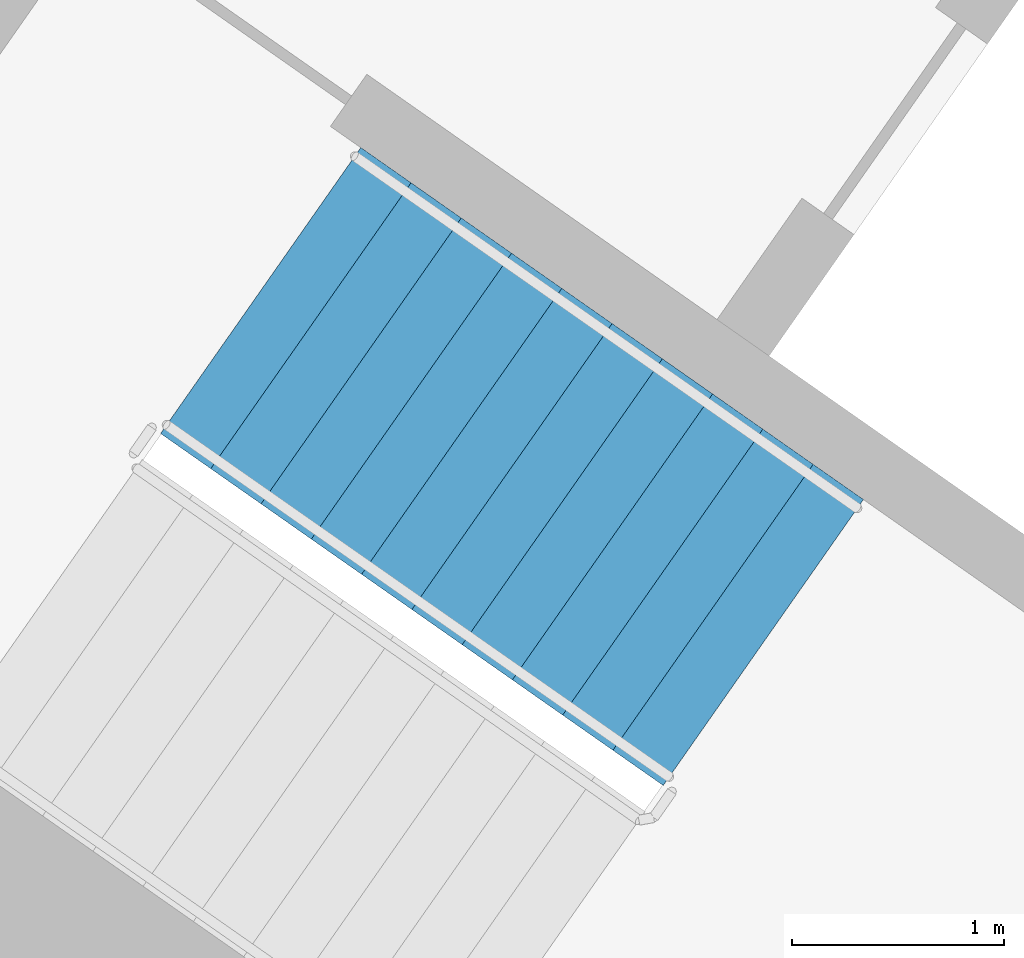
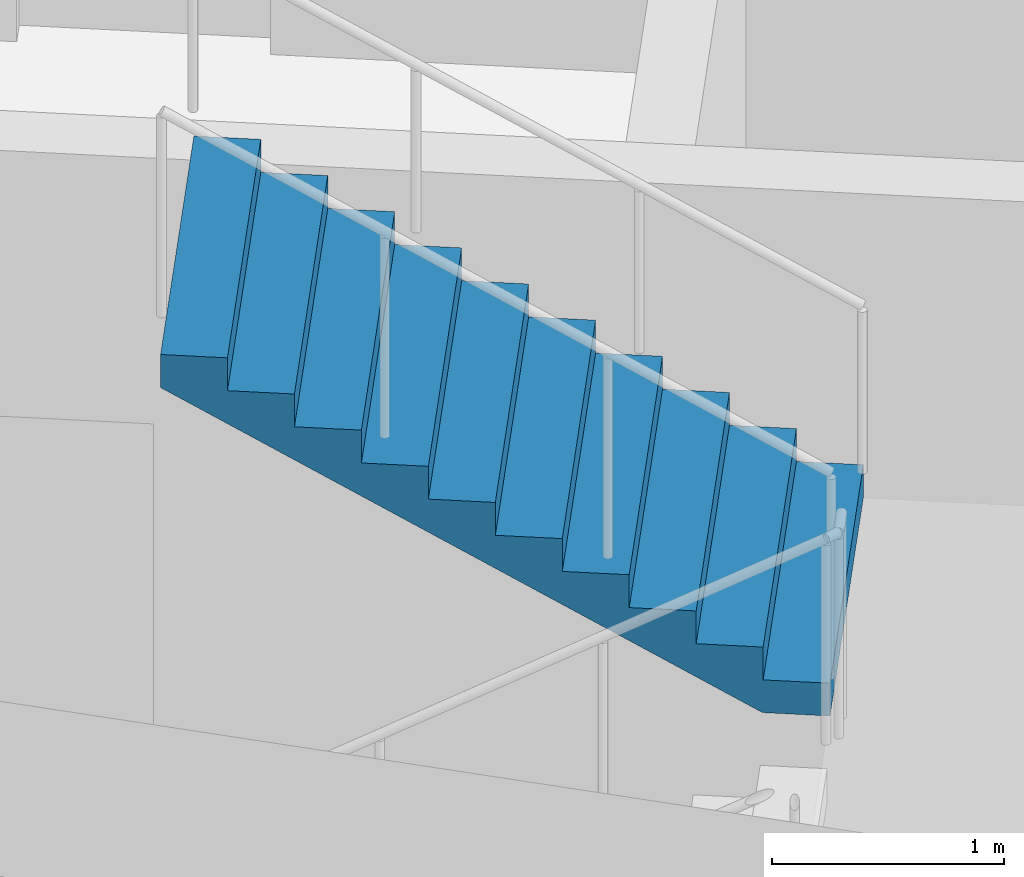
# One storey, part 11 of 35: 1 stair flight, 1 element without a shape of its own.
"""IFC4 building model written with IfcOpenShell, lengths in metres."""

from ifc_helpers import new_model, si_unit, direction, frame, origin, place, context, subcontext, project, spatial, faceted_brep, material, type_object, element, aggregate, save


model = new_model("IFC4")

# Units and contexts
model_context = context("Model", 3, precision=1e-05, world=origin(), true_north=direction((0.0, 1.0)))
body_context = subcontext(model_context, "Body", "Model", "MODEL_VIEW")
ifc_project = project(units=[si_unit("LENGTHUNIT", "METRE"), si_unit("AREAUNIT", "SQUARE_METRE"), si_unit("VOLUMEUNIT", "CUBIC_METRE"), si_unit("PLANEANGLEUNIT", "RADIAN"), si_unit("MASSUNIT", "GRAM", prefix="KILO")], contexts=[model_context])

# Site, building, storey
site_placement = place(None, origin())
site = spatial("IfcSite", under=ifc_project, at=site_placement, CompositionType="ELEMENT")
building_placement = place(site_placement, origin())
building = spatial("IfcBuilding", under=site, at=building_placement, Name="Qamariyya Broadcast Tower", CompositionType="ELEMENT")
storey_placement = place(building_placement, frame((0.0, 0.0, 40.5)))
storey = spatial("IfcBuildingStorey", under=building, at=storey_placement, Name="L06", CompositionType="ELEMENT", Elevation=40.5)

# Stair, stair flight
ifc_material = material(Name="Concrete C50/60", Category="concrete")
stair_type = type_object("IfcStairType", Name="Exit stair 22 risers of 173 mm", PredefinedType="HALF_TURN_STAIR", material=ifc_material)
stair_placement = place(storey_placement, origin())
stair = element("IfcStair", 1, at=stair_placement, inside=storey, type_object=stair_type, Name="L06 Stair W1", PredefinedType="HALF_TURN_STAIR")
stair_flight_type = type_object("IfcStairFlightType", Name="Exit stair flight 11 risers of 173 mm", PredefinedType="STRAIGHT", material=ifc_material)
stair_flight_placement = place(storey_placement, frame((-43.660888671875, -57.17138671875, 1.89990234375), z_axis=(0.0, 0.0, 1.0), x_axis=(-0.819152044289, 0.573576436351, 0.0)))
stair_flight = element("IfcStairFlight", 2, at=stair_flight_placement, type_object=stair_flight_type, Name="ST-W1 flight 2", NumberOfRisers=11, NumberOfTreads=10, PredefinedType="STRAIGHT", RiserHeight=0.172727273, TreadLength=0.29, context=body_context, shape_type="Brep", body=[
    faceted_brep([(0.0, 0.824951171875, 0.0), (0.0, 0.824951171875, 0.172607421875), (0.2900390625, 0.824951171875, 0.172607421875), (0.2900390625, 0.824951171875, 0.345458984375), (0.580078125, 0.824951171875, 0.345458984375), (0.580078125, 0.824951171875, 0.51806640625), (0.8701171875, 0.824951171875, 0.51806640625), (0.8701171875, 0.824951171875, 0.69091796875), (1.159912109375, 0.824951171875, 0.69091796875), (1.159912109375, 0.824951171875, 0.863525390625), (1.449951171875, 0.824951171875, 0.863525390625), (1.449951171875, 0.824951171875, 1.036376953125), (1.739990234375, 0.824951171875, 1.036376953125), (1.739990234375, 0.824951171875, 1.208984375), (2.030029296875, 0.824951171875, 1.208984375), (2.030029296875, 0.824951171875, 1.3818359375), (2.320068359375, 0.824951171875, 1.3818359375), (2.320068359375, 0.824951171875, 1.554443359375), (2.610107421875, 0.824951171875, 1.554443359375), (2.610107421875, 0.824951171875, 1.727294921875), (2.89990234375, 0.824951171875, 1.727294921875), (2.89990234375, 0.824951171875, 1.552734375), (0.29296875, 0.824951171875, 0.0), (0.29296875, -0.824951171875, 0.0), (2.89990234375, -0.824951171875, 1.552734375), (2.89990234375, -0.824951171875, 1.727294921875), (2.610107421875, -0.824951171875, 1.727294921875), (2.610107421875, -0.824951171875, 1.554443359375), (2.320068359375, -0.824951171875, 1.554443359375), (2.320068359375, -0.824951171875, 1.3818359375), (2.030029296875, -0.824951171875, 1.3818359375), (2.030029296875, -0.824951171875, 1.208984375), (1.739990234375, -0.824951171875, 1.208984375), (1.739990234375, -0.824951171875, 1.036376953125), (1.449951171875, -0.824951171875, 1.036376953125), (1.449951171875, -0.824951171875, 0.863525390625), (1.159912109375, -0.824951171875, 0.863525390625), (1.159912109375, -0.824951171875, 0.69091796875), (0.8701171875, -0.824951171875, 0.69091796875), (0.8701171875, -0.824951171875, 0.51806640625), (0.580078125, -0.824951171875, 0.51806640625), (0.580078125, -0.824951171875, 0.345458984375), (0.2900390625, -0.824951171875, 0.345458984375), (0.2900390625, -0.824951171875, 0.172607421875), (0.0, -0.824951171875, 0.172607421875), (0.0, -0.824951171875, 0.0), (0.0, 0.10009765625, 0.0), (0.0, 0.086669921875, 0.0), (0.0, 0.0732421875, 0.0), (0.0, 0.06005859375, 0.0), (0.0, 0.046630859375, 0.0), (0.0, 0.033447265625, 0.0), (0.0, 0.02001953125, 0.0), (0.0, 0.006591796875, 0.0), (0.0, -0.006591796875, 0.0), (0.0, -0.02001953125, 0.0), (0.0, -0.033447265625, 0.0), (0.0, -0.046630859375, 0.0), (0.0, -0.06005859375, 0.0), (0.0, -0.0732421875, 0.0), (0.0, -0.086669921875, 0.0), (0.0, -0.10009765625, 0.0), (0.0, -0.10009765625, 0.172607421875), (0.0, -0.086669921875, 0.172607421875), (0.0, -0.0732421875, 0.172607421875), (0.0, -0.06005859375, 0.172607421875), (0.0, -0.046630859375, 0.172607421875), (0.0, -0.033447265625, 0.172607421875), (0.0, -0.02001953125, 0.172607421875), (0.0, -0.006591796875, 0.172607421875), (0.0, 0.006591796875, 0.172607421875), (0.0, 0.02001953125, 0.172607421875), (0.0, 0.033447265625, 0.172607421875), (0.0, 0.046630859375, 0.172607421875), (0.0, 0.06005859375, 0.172607421875), (0.0, 0.0732421875, 0.172607421875), (0.0, 0.086669921875, 0.172607421875), (0.0, 0.10009765625, 0.172607421875), (0.2900390625, -0.10009765625, 0.172607421875), (0.2900390625, -0.086669921875, 0.172607421875), (0.2900390625, -0.0732421875, 0.172607421875), (0.2900390625, -0.06005859375, 0.172607421875), (0.2900390625, -0.046630859375, 0.172607421875), (0.2900390625, -0.033447265625, 0.172607421875), (0.2900390625, -0.02001953125, 0.172607421875), (0.2900390625, -0.006591796875, 0.172607421875), (0.2900390625, 0.006591796875, 0.172607421875), (0.2900390625, 0.02001953125, 0.172607421875), (0.2900390625, 0.033447265625, 0.172607421875), (0.2900390625, 0.046630859375, 0.172607421875), (0.2900390625, 0.06005859375, 0.172607421875), (0.2900390625, 0.0732421875, 0.172607421875), (0.2900390625, 0.086669921875, 0.172607421875), (0.2900390625, 0.10009765625, 0.172607421875), (0.2900390625, -0.10009765625, 0.345458984375), (0.2900390625, -0.086669921875, 0.345458984375), (0.2900390625, -0.0732421875, 0.345458984375), (0.2900390625, -0.06005859375, 0.345458984375), (0.2900390625, -0.046630859375, 0.345458984375), (0.2900390625, -0.033447265625, 0.345458984375), (0.2900390625, -0.02001953125, 0.345458984375), (0.2900390625, -0.006591796875, 0.345458984375), (0.2900390625, 0.006591796875, 0.345458984375), (0.2900390625, 0.02001953125, 0.345458984375), (0.2900390625, 0.033447265625, 0.345458984375), (0.2900390625, 0.046630859375, 0.345458984375), (0.2900390625, 0.06005859375, 0.345458984375), (0.2900390625, 0.0732421875, 0.345458984375), (0.2900390625, 0.086669921875, 0.345458984375), (0.2900390625, 0.10009765625, 0.345458984375), (0.580078125, -0.10009765625, 0.345458984375), (0.580078125, -0.086669921875, 0.345458984375), (0.580078125, -0.0732421875, 0.345458984375), (0.580078125, -0.06005859375, 0.345458984375), (0.580078125, -0.046630859375, 0.345458984375), (0.580078125, -0.033447265625, 0.345458984375), (0.580078125, -0.02001953125, 0.345458984375), (0.580078125, -0.006591796875, 0.345458984375), (0.580078125, 0.006591796875, 0.345458984375), (0.580078125, 0.02001953125, 0.345458984375), (0.580078125, 0.033447265625, 0.345458984375), (0.580078125, 0.046630859375, 0.345458984375), (0.580078125, 0.06005859375, 0.345458984375), (0.580078125, 0.0732421875, 0.345458984375), (0.580078125, 0.086669921875, 0.345458984375), (0.580078125, 0.10009765625, 0.345458984375), (0.580078125, -0.10009765625, 0.51806640625), (0.580078125, -0.086669921875, 0.51806640625), (0.580078125, -0.0732421875, 0.51806640625), (0.580078125, -0.06005859375, 0.51806640625), (0.580078125, -0.046630859375, 0.51806640625), (0.580078125, -0.033447265625, 0.51806640625), (0.580078125, -0.02001953125, 0.51806640625), (0.580078125, -0.006591796875, 0.51806640625), (0.580078125, 0.006591796875, 0.51806640625), (0.580078125, 0.02001953125, 0.51806640625), (0.580078125, 0.033447265625, 0.51806640625), (0.580078125, 0.046630859375, 0.51806640625), (0.580078125, 0.06005859375, 0.51806640625), (0.580078125, 0.0732421875, 0.51806640625), (0.580078125, 0.086669921875, 0.51806640625), (0.580078125, 0.10009765625, 0.51806640625), (0.8701171875, -0.10009765625, 0.51806640625), (0.8701171875, -0.086669921875, 0.51806640625), (0.8701171875, -0.0732421875, 0.51806640625), (0.8701171875, -0.06005859375, 0.51806640625), (0.8701171875, -0.046630859375, 0.51806640625), (0.8701171875, -0.033447265625, 0.51806640625), (0.8701171875, -0.02001953125, 0.51806640625), (0.8701171875, -0.006591796875, 0.51806640625), (0.8701171875, 0.006591796875, 0.51806640625), (0.8701171875, 0.02001953125, 0.51806640625), (0.8701171875, 0.033447265625, 0.51806640625), (0.8701171875, 0.046630859375, 0.51806640625), (0.8701171875, 0.06005859375, 0.51806640625), (0.8701171875, 0.0732421875, 0.51806640625), (0.8701171875, 0.086669921875, 0.51806640625), (0.8701171875, 0.10009765625, 0.51806640625), (0.8701171875, -0.10009765625, 0.69091796875), (0.8701171875, -0.086669921875, 0.69091796875), (0.8701171875, -0.0732421875, 0.69091796875), (0.8701171875, -0.06005859375, 0.69091796875), (0.8701171875, -0.046630859375, 0.69091796875), (0.8701171875, -0.033447265625, 0.69091796875), (0.8701171875, -0.02001953125, 0.69091796875), (0.8701171875, -0.006591796875, 0.69091796875), (0.8701171875, 0.006591796875, 0.69091796875), (0.8701171875, 0.02001953125, 0.69091796875), (0.8701171875, 0.033447265625, 0.69091796875), (0.8701171875, 0.046630859375, 0.69091796875), (0.8701171875, 0.06005859375, 0.69091796875), (0.8701171875, 0.0732421875, 0.69091796875), (0.8701171875, 0.086669921875, 0.69091796875), (0.8701171875, 0.10009765625, 0.69091796875), (1.159912109375, -0.10009765625, 0.69091796875), (1.159912109375, -0.086669921875, 0.69091796875), (1.159912109375, -0.0732421875, 0.69091796875), (1.159912109375, -0.06005859375, 0.69091796875), (1.159912109375, -0.046630859375, 0.69091796875), (1.159912109375, -0.033447265625, 0.69091796875), (1.159912109375, -0.02001953125, 0.69091796875), (1.159912109375, -0.006591796875, 0.69091796875), (1.159912109375, 0.006591796875, 0.69091796875), (1.159912109375, 0.02001953125, 0.69091796875), (1.159912109375, 0.033447265625, 0.69091796875), (1.159912109375, 0.046630859375, 0.69091796875), (1.159912109375, 0.06005859375, 0.69091796875), (1.159912109375, 0.0732421875, 0.69091796875), (1.159912109375, 0.086669921875, 0.69091796875), (1.159912109375, 0.10009765625, 0.69091796875), (1.159912109375, -0.10009765625, 0.863525390625), (1.159912109375, -0.086669921875, 0.863525390625), (1.159912109375, -0.0732421875, 0.863525390625), (1.159912109375, -0.06005859375, 0.863525390625), (1.159912109375, -0.046630859375, 0.863525390625), (1.159912109375, -0.033447265625, 0.863525390625), (1.159912109375, -0.02001953125, 0.863525390625), (1.159912109375, -0.006591796875, 0.863525390625), (1.159912109375, 0.006591796875, 0.863525390625), (1.159912109375, 0.02001953125, 0.863525390625), (1.159912109375, 0.033447265625, 0.863525390625), (1.159912109375, 0.046630859375, 0.863525390625), (1.159912109375, 0.06005859375, 0.863525390625), (1.159912109375, 0.0732421875, 0.863525390625), (1.159912109375, 0.086669921875, 0.863525390625), (1.159912109375, 0.10009765625, 0.863525390625), (1.449951171875, -0.10009765625, 0.863525390625), (1.449951171875, -0.086669921875, 0.863525390625), (1.449951171875, -0.0732421875, 0.863525390625), (1.449951171875, -0.06005859375, 0.863525390625), (1.449951171875, -0.046630859375, 0.863525390625), (1.449951171875, -0.033447265625, 0.863525390625), (1.449951171875, -0.02001953125, 0.863525390625), (1.449951171875, -0.006591796875, 0.863525390625), (1.449951171875, 0.006591796875, 0.863525390625), (1.449951171875, 0.02001953125, 0.863525390625), (1.449951171875, 0.033447265625, 0.863525390625), (1.449951171875, 0.046630859375, 0.863525390625), (1.449951171875, 0.06005859375, 0.863525390625), (1.449951171875, 0.0732421875, 0.863525390625), (1.449951171875, 0.086669921875, 0.863525390625), (1.449951171875, 0.10009765625, 0.863525390625), (1.449951171875, -0.10009765625, 1.036376953125), (1.449951171875, -0.086669921875, 1.036376953125), (1.449951171875, -0.0732421875, 1.036376953125), (1.449951171875, -0.06005859375, 1.036376953125), (1.449951171875, -0.046630859375, 1.036376953125), (1.449951171875, -0.033447265625, 1.036376953125), (1.449951171875, -0.02001953125, 1.036376953125), (1.449951171875, -0.006591796875, 1.036376953125), (1.449951171875, 0.006591796875, 1.036376953125), (1.449951171875, 0.02001953125, 1.036376953125), (1.449951171875, 0.033447265625, 1.036376953125), (1.449951171875, 0.046630859375, 1.036376953125), (1.449951171875, 0.06005859375, 1.036376953125), (1.449951171875, 0.0732421875, 1.036376953125), (1.449951171875, 0.086669921875, 1.036376953125), (1.449951171875, 0.10009765625, 1.036376953125), (1.739990234375, -0.10009765625, 1.036376953125), (1.739990234375, -0.086669921875, 1.036376953125), (1.739990234375, -0.0732421875, 1.036376953125), (1.739990234375, -0.06005859375, 1.036376953125), (1.739990234375, -0.046630859375, 1.036376953125), (1.739990234375, -0.033447265625, 1.036376953125), (1.739990234375, -0.02001953125, 1.036376953125), (1.739990234375, -0.006591796875, 1.036376953125), (1.739990234375, 0.006591796875, 1.036376953125), (1.739990234375, 0.02001953125, 1.036376953125), (1.739990234375, 0.033447265625, 1.036376953125), (1.739990234375, 0.046630859375, 1.036376953125), (1.739990234375, 0.06005859375, 1.036376953125), (1.739990234375, 0.0732421875, 1.036376953125), (1.739990234375, 0.086669921875, 1.036376953125), (1.739990234375, 0.10009765625, 1.036376953125), (1.739990234375, -0.10009765625, 1.208984375), (1.739990234375, -0.086669921875, 1.208984375), (1.739990234375, -0.0732421875, 1.208984375), (1.739990234375, -0.06005859375, 1.208984375), (1.739990234375, -0.046630859375, 1.208984375), (1.739990234375, -0.033447265625, 1.208984375), (1.739990234375, -0.02001953125, 1.208984375), (1.739990234375, -0.006591796875, 1.208984375), (1.739990234375, 0.006591796875, 1.208984375), (1.739990234375, 0.02001953125, 1.208984375), (1.739990234375, 0.033447265625, 1.208984375), (1.739990234375, 0.046630859375, 1.208984375), (1.739990234375, 0.06005859375, 1.208984375), (1.739990234375, 0.0732421875, 1.208984375), (1.739990234375, 0.086669921875, 1.208984375), (1.739990234375, 0.10009765625, 1.208984375), (2.030029296875, -0.10009765625, 1.208984375), (2.030029296875, -0.086669921875, 1.208984375), (2.030029296875, -0.0732421875, 1.208984375), (2.030029296875, -0.06005859375, 1.208984375), (2.030029296875, -0.046630859375, 1.208984375), (2.030029296875, -0.033447265625, 1.208984375), (2.030029296875, -0.02001953125, 1.208984375), (2.030029296875, -0.006591796875, 1.208984375), (2.030029296875, 0.006591796875, 1.208984375), (2.030029296875, 0.02001953125, 1.208984375), (2.030029296875, 0.033447265625, 1.208984375), (2.030029296875, 0.046630859375, 1.208984375), (2.030029296875, 0.06005859375, 1.208984375), (2.030029296875, 0.0732421875, 1.208984375), (2.030029296875, 0.086669921875, 1.208984375), (2.030029296875, 0.10009765625, 1.208984375), (2.030029296875, -0.10009765625, 1.3818359375), (2.030029296875, -0.086669921875, 1.3818359375), (2.030029296875, -0.0732421875, 1.3818359375), (2.030029296875, -0.06005859375, 1.3818359375), (2.030029296875, -0.046630859375, 1.3818359375), (2.030029296875, -0.033447265625, 1.3818359375), (2.030029296875, -0.02001953125, 1.3818359375), (2.030029296875, -0.006591796875, 1.3818359375), (2.030029296875, 0.006591796875, 1.3818359375), (2.030029296875, 0.02001953125, 1.3818359375), (2.030029296875, 0.033447265625, 1.3818359375), (2.030029296875, 0.046630859375, 1.3818359375), (2.030029296875, 0.06005859375, 1.3818359375), (2.030029296875, 0.0732421875, 1.3818359375), (2.030029296875, 0.086669921875, 1.3818359375), (2.030029296875, 0.10009765625, 1.3818359375), (2.320068359375, -0.10009765625, 1.3818359375), (2.320068359375, -0.086669921875, 1.3818359375), (2.320068359375, -0.0732421875, 1.3818359375), (2.320068359375, -0.06005859375, 1.3818359375), (2.320068359375, -0.046630859375, 1.3818359375), (2.320068359375, -0.033447265625, 1.3818359375), (2.320068359375, -0.02001953125, 1.3818359375), (2.320068359375, -0.006591796875, 1.3818359375), (2.320068359375, 0.006591796875, 1.3818359375), (2.320068359375, 0.02001953125, 1.3818359375), (2.320068359375, 0.033447265625, 1.3818359375), (2.320068359375, 0.046630859375, 1.3818359375), (2.320068359375, 0.06005859375, 1.3818359375), (2.320068359375, 0.0732421875, 1.3818359375), (2.320068359375, 0.086669921875, 1.3818359375), (2.320068359375, 0.10009765625, 1.3818359375), (2.320068359375, -0.10009765625, 1.554443359375), (2.320068359375, -0.086669921875, 1.554443359375), (2.320068359375, -0.0732421875, 1.554443359375), (2.320068359375, -0.06005859375, 1.554443359375), (2.320068359375, -0.046630859375, 1.554443359375), (2.320068359375, -0.033447265625, 1.554443359375), (2.320068359375, -0.02001953125, 1.554443359375), (2.320068359375, -0.006591796875, 1.554443359375), (2.320068359375, 0.006591796875, 1.554443359375), (2.320068359375, 0.02001953125, 1.554443359375), (2.320068359375, 0.033447265625, 1.554443359375), (2.320068359375, 0.046630859375, 1.554443359375), (2.320068359375, 0.06005859375, 1.554443359375), (2.320068359375, 0.0732421875, 1.554443359375), (2.320068359375, 0.086669921875, 1.554443359375), (2.320068359375, 0.10009765625, 1.554443359375), (2.610107421875, -0.10009765625, 1.554443359375), (2.610107421875, -0.086669921875, 1.554443359375), (2.610107421875, -0.0732421875, 1.554443359375), (2.610107421875, -0.06005859375, 1.554443359375), (2.610107421875, -0.046630859375, 1.554443359375), (2.610107421875, -0.033447265625, 1.554443359375), (2.610107421875, -0.02001953125, 1.554443359375), (2.610107421875, -0.006591796875, 1.554443359375), (2.610107421875, 0.006591796875, 1.554443359375), (2.610107421875, 0.02001953125, 1.554443359375), (2.610107421875, 0.033447265625, 1.554443359375), (2.610107421875, 0.046630859375, 1.554443359375), (2.610107421875, 0.06005859375, 1.554443359375), (2.610107421875, 0.0732421875, 1.554443359375), (2.610107421875, 0.086669921875, 1.554443359375), (2.610107421875, 0.10009765625, 1.554443359375), (2.610107421875, -0.10009765625, 1.727294921875), (2.610107421875, -0.086669921875, 1.727294921875), (2.610107421875, -0.0732421875, 1.727294921875), (2.610107421875, -0.06005859375, 1.727294921875), (2.610107421875, -0.046630859375, 1.727294921875), (2.610107421875, -0.033447265625, 1.727294921875), (2.610107421875, -0.02001953125, 1.727294921875), (2.610107421875, -0.006591796875, 1.727294921875), (2.610107421875, 0.006591796875, 1.727294921875), (2.610107421875, 0.02001953125, 1.727294921875), (2.610107421875, 0.033447265625, 1.727294921875), (2.610107421875, 0.046630859375, 1.727294921875), (2.610107421875, 0.06005859375, 1.727294921875), (2.610107421875, 0.0732421875, 1.727294921875), (2.610107421875, 0.086669921875, 1.727294921875), (2.610107421875, 0.10009765625, 1.727294921875), (2.89990234375, -0.10009765625, 1.727294921875), (2.89990234375, -0.086669921875, 1.727294921875), (2.89990234375, -0.0732421875, 1.727294921875), (2.89990234375, -0.06005859375, 1.727294921875), (2.89990234375, -0.046630859375, 1.727294921875), (2.89990234375, -0.033447265625, 1.727294921875), (2.89990234375, -0.02001953125, 1.727294921875), (2.89990234375, -0.006591796875, 1.727294921875), (2.89990234375, 0.006591796875, 1.727294921875), (2.89990234375, 0.02001953125, 1.727294921875), (2.89990234375, 0.033447265625, 1.727294921875), (2.89990234375, 0.046630859375, 1.727294921875), (2.89990234375, 0.06005859375, 1.727294921875), (2.89990234375, 0.0732421875, 1.727294921875), (2.89990234375, 0.086669921875, 1.727294921875), (2.89990234375, 0.10009765625, 1.727294921875), (2.89990234375, -0.10009765625, 1.552734375), (2.89990234375, -0.086669921875, 1.552734375), (2.89990234375, -0.0732421875, 1.552734375), (2.89990234375, -0.06005859375, 1.552734375), (2.89990234375, -0.046630859375, 1.552734375), (2.89990234375, -0.033447265625, 1.552734375), (2.89990234375, -0.02001953125, 1.552734375), (2.89990234375, -0.006591796875, 1.552734375), (2.89990234375, 0.006591796875, 1.552734375), (2.89990234375, 0.02001953125, 1.552734375), (2.89990234375, 0.033447265625, 1.552734375), (2.89990234375, 0.046630859375, 1.552734375), (2.89990234375, 0.06005859375, 1.552734375), (2.89990234375, 0.0732421875, 1.552734375), (2.89990234375, 0.086669921875, 1.552734375), (2.89990234375, 0.10009765625, 1.552734375), (0.29296875, -0.10009765625, 0.0), (0.29296875, -0.086669921875, 0.0), (0.29296875, -0.0732421875, 0.0), (0.29296875, -0.06005859375, 0.0), (0.29296875, -0.046630859375, 0.0), (0.29296875, -0.033447265625, 0.0), (0.29296875, -0.02001953125, 0.0), (0.29296875, -0.006591796875, 0.0), (0.29296875, 0.006591796875, 0.0), (0.29296875, 0.02001953125, 0.0), (0.29296875, 0.033447265625, 0.0), (0.29296875, 0.046630859375, 0.0), (0.29296875, 0.06005859375, 0.0), (0.29296875, 0.0732421875, 0.0), (0.29296875, 0.086669921875, 0.0), (0.29296875, 0.10009765625, 0.0)], [[[0, 1, 2, 3, 4, 5, 6, 7, 8, 9, 10, 11, 12, 13, 14, 15, 16, 17, 18, 19, 20, 21, 22]], [[23, 24, 25, 26, 27, 28, 29, 30, 31, 32, 33, 34, 35, 36, 37, 38, 39, 40, 41, 42, 43, 44, 45]], [[0, 46, 47, 48, 49, 50, 51, 52, 53, 54, 55, 56, 57, 58, 59, 60, 61, 45, 44, 62, 63, 64, 65, 66, 67, 68, 69, 70, 71, 72, 73, 74, 75, 76, 77, 1]], [[1, 77, 76, 75, 74, 73, 72, 71, 70, 69, 68, 67, 66, 65, 64, 63, 62, 44, 43, 78, 79, 80, 81, 82, 83, 84, 85, 86, 87, 88, 89, 90, 91, 92, 93, 2]], [[2, 93, 92, 91, 90, 89, 88, 87, 86, 85, 84, 83, 82, 81, 80, 79, 78, 43, 42, 94, 95, 96, 97, 98, 99, 100, 101, 102, 103, 104, 105, 106, 107, 108, 109, 3]], [[3, 109, 108, 107, 106, 105, 104, 103, 102, 101, 100, 99, 98, 97, 96, 95, 94, 42, 41, 110, 111, 112, 113, 114, 115, 116, 117, 118, 119, 120, 121, 122, 123, 124, 125, 4]], [[4, 125, 124, 123, 122, 121, 120, 119, 118, 117, 116, 115, 114, 113, 112, 111, 110, 41, 40, 126, 127, 128, 129, 130, 131, 132, 133, 134, 135, 136, 137, 138, 139, 140, 141, 5]], [[5, 141, 140, 139, 138, 137, 136, 135, 134, 133, 132, 131, 130, 129, 128, 127, 126, 40, 39, 142, 143, 144, 145, 146, 147, 148, 149, 150, 151, 152, 153, 154, 155, 156, 157, 6]], [[6, 157, 156, 155, 154, 153, 152, 151, 150, 149, 148, 147, 146, 145, 144, 143, 142, 39, 38, 158, 159, 160, 161, 162, 163, 164, 165, 166, 167, 168, 169, 170, 171, 172, 173, 7]], [[7, 173, 172, 171, 170, 169, 168, 167, 166, 165, 164, 163, 162, 161, 160, 159, 158, 38, 37, 174, 175, 176, 177, 178, 179, 180, 181, 182, 183, 184, 185, 186, 187, 188, 189, 8]], [[8, 189, 188, 187, 186, 185, 184, 183, 182, 181, 180, 179, 178, 177, 176, 175, 174, 37, 36, 190, 191, 192, 193, 194, 195, 196, 197, 198, 199, 200, 201, 202, 203, 204, 205, 9]], [[9, 205, 204, 203, 202, 201, 200, 199, 198, 197, 196, 195, 194, 193, 192, 191, 190, 36, 35, 206, 207, 208, 209, 210, 211, 212, 213, 214, 215, 216, 217, 218, 219, 220, 221, 10]], [[10, 221, 220, 219, 218, 217, 216, 215, 214, 213, 212, 211, 210, 209, 208, 207, 206, 35, 34, 222, 223, 224, 225, 226, 227, 228, 229, 230, 231, 232, 233, 234, 235, 236, 237, 11]], [[11, 237, 236, 235, 234, 233, 232, 231, 230, 229, 228, 227, 226, 225, 224, 223, 222, 34, 33, 238, 239, 240, 241, 242, 243, 244, 245, 246, 247, 248, 249, 250, 251, 252, 253, 12]], [[12, 253, 252, 251, 250, 249, 248, 247, 246, 245, 244, 243, 242, 241, 240, 239, 238, 33, 32, 254, 255, 256, 257, 258, 259, 260, 261, 262, 263, 264, 265, 266, 267, 268, 269, 13]], [[13, 269, 268, 267, 266, 265, 264, 263, 262, 261, 260, 259, 258, 257, 256, 255, 254, 32, 31, 270, 271, 272, 273, 274, 275, 276, 277, 278, 279, 280, 281, 282, 283, 284, 285, 14]], [[14, 285, 284, 283, 282, 281, 280, 279, 278, 277, 276, 275, 274, 273, 272, 271, 270, 31, 30, 286, 287, 288, 289, 290, 291, 292, 293, 294, 295, 296, 297, 298, 299, 300, 301, 15]], [[15, 301, 300, 299, 298, 297, 296, 295, 294, 293, 292, 291, 290, 289, 288, 287, 286, 30, 29, 302, 303, 304, 305, 306, 307, 308, 309, 310, 311, 312, 313, 314, 315, 316, 317, 16]], [[16, 317, 316, 315, 314, 313, 312, 311, 310, 309, 308, 307, 306, 305, 304, 303, 302, 29, 28, 318, 319, 320, 321, 322, 323, 324, 325, 326, 327, 328, 329, 330, 331, 332, 333, 17]], [[17, 333, 332, 331, 330, 329, 328, 327, 326, 325, 324, 323, 322, 321, 320, 319, 318, 28, 27, 334, 335, 336, 337, 338, 339, 340, 341, 342, 343, 344, 345, 346, 347, 348, 349, 18]], [[18, 349, 348, 347, 346, 345, 344, 343, 342, 341, 340, 339, 338, 337, 336, 335, 334, 27, 26, 350, 351, 352, 353, 354, 355, 356, 357, 358, 359, 360, 361, 362, 363, 364, 365, 19]], [[19, 365, 364, 363, 362, 361, 360, 359, 358, 357, 356, 355, 354, 353, 352, 351, 350, 26, 25, 366, 367, 368, 369, 370, 371, 372, 373, 374, 375, 376, 377, 378, 379, 380, 381, 20]], [[20, 381, 380, 379, 378, 377, 376, 375, 374, 373, 372, 371, 370, 369, 368, 367, 366, 25, 24, 382, 383, 384, 385, 386, 387, 388, 389, 390, 391, 392, 393, 394, 395, 396, 397, 21]], [[21, 397, 396, 395, 394, 393, 392, 391, 390, 389, 388, 387, 386, 385, 384, 383, 382, 24, 23, 398, 399, 400, 401, 402, 403, 404, 405, 406, 407, 408, 409, 410, 411, 412, 413, 22]], [[22, 413, 412, 411, 410, 409, 408, 407, 406, 405, 404, 403, 402, 401, 400, 399, 398, 23, 45, 61, 60, 59, 58, 57, 56, 55, 54, 53, 52, 51, 50, 49, 48, 47, 46, 0]]]),
])
aggregate(stair, [stair_flight])

save(model, "model.ifc")
